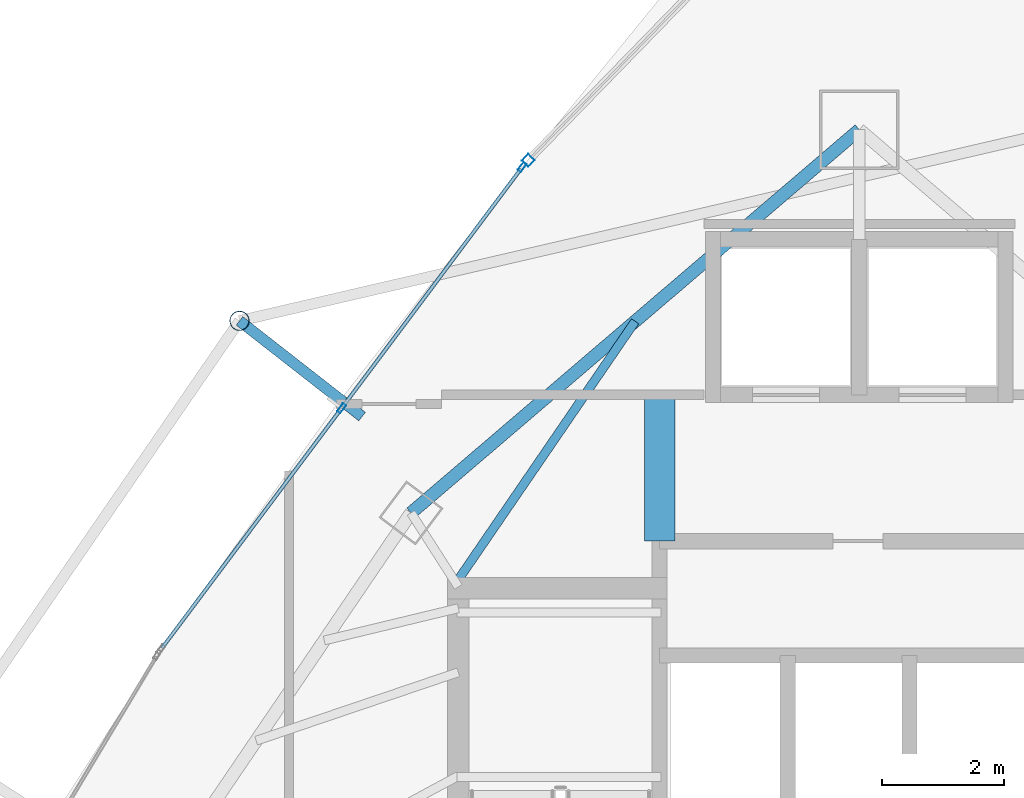
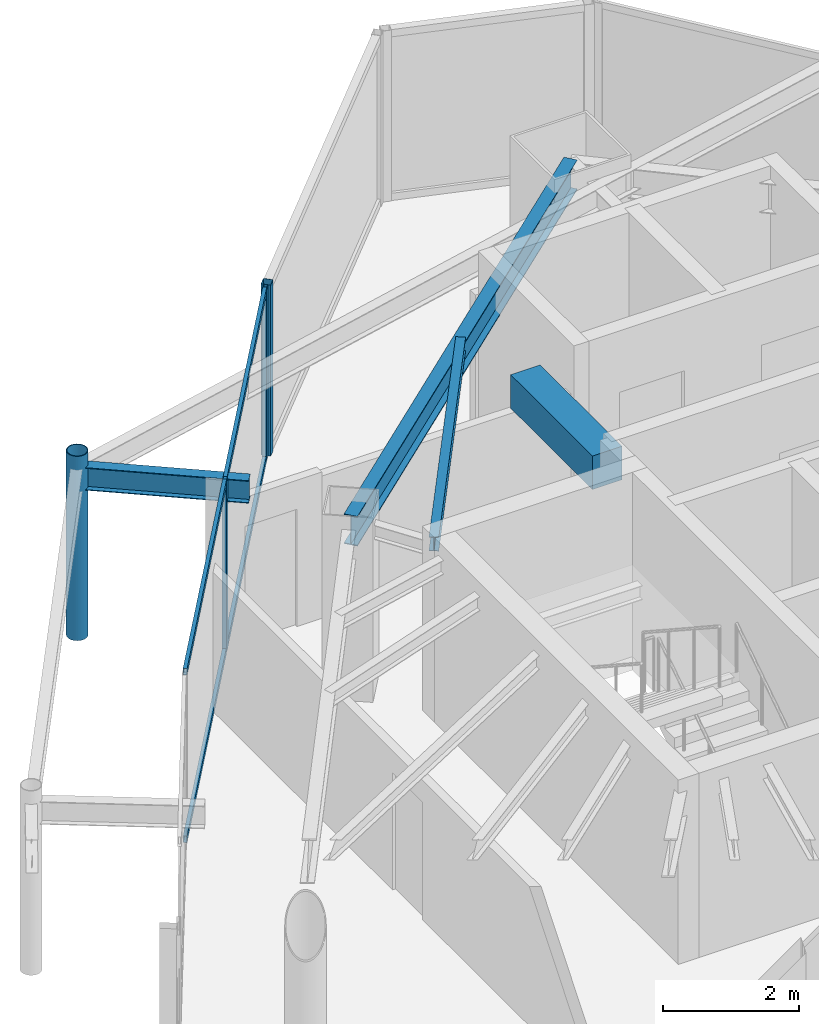
# One storey, part 21 of 30: 8 members, 4 beams, 2 elements without a shape of their own.
"""IFC4 building model written with IfcOpenShell, lengths in metres."""

from ifc_helpers import new_model, si_unit, direction, frame, origin, origin_2d, place, context, subcontext, project, spatial, rectangle, hollow_rectangle, hollow_circle, i_section, extrude, material, layer, layer_set, material_profile, profile_set, type_object, element, aggregate, save


model = new_model("IFC4")

# Units and contexts
model_context = context("Model", 3, precision=1e-05, world=origin(), true_north=direction((0.0, 1.0)))
body_context = subcontext(model_context, "Body", "Model", "MODEL_VIEW")
ifc_project = project(units=[si_unit("LENGTHUNIT", "METRE"), si_unit("AREAUNIT", "SQUARE_METRE"), si_unit("VOLUMEUNIT", "CUBIC_METRE"), si_unit("PLANEANGLEUNIT", "RADIAN"), si_unit("MASSUNIT", "GRAM", prefix="KILO")], contexts=[model_context])

# Site, building, storey
site_placement = place(None, origin())
site = spatial("IfcSite", under=ifc_project, at=site_placement, CompositionType="ELEMENT")
building_placement = place(site_placement, origin())
building = spatial("IfcBuilding", under=site, at=building_placement, Name="Orvanel Arch Residences", CompositionType="ELEMENT")
storey_placement = place(building_placement, frame((0.0, 0.0, 226.10009765625)))
storey = spatial("IfcBuildingStorey", under=building, at=storey_placement, Name="L64", CompositionType="ELEMENT", Elevation=226.10009765625)

# Beams
ifc_material_1 = material(Name="Structural steel AS/NZS 3679.1 Grade 300 (300 MPa)", Category="steel")
ifc_material_profile_1 = material_profile(ifc_material_1, i_section(OverallWidth=0.14599609375, OverallDepth=0.251953125, WebThickness=0.006103515625, FlangeThickness=0.008544921875, at=origin_2d()), Name="250UB31.4")
ifc_profile_set_1 = profile_set([ifc_material_profile_1], Name="Structural steel AS/NZS 3679.1 Grade 300 (300 MPa)")
beam_type_1 = type_object("IfcBeamType", Name="BJ-250UB", PredefinedType="JOIST", material=ifc_profile_set_1)
beam_1_placement = place(storey_placement, frame((26.425048828125, 34.02001953125, 2.933837890625), z_axis=(0.564868085352, 0.825181220188, 0.0), x_axis=(-0.825181220188, 0.564868085352, 0.0)))
element("IfcBeam", 1, at=beam_1_placement, inside=storey, type_object=beam_type_1, Name="L64 NNW2 Wing Floor Joist", PredefinedType="JOIST", context=body_context, shape_type="SweptSolid", body=[
    extrude(i_section(OverallWidth=0.14599609375, OverallDepth=0.251953125, WebThickness=0.006103515625, FlangeThickness=0.008544921875, at=origin_2d()), origin(), (0.0, 0.0, 1.0), 5.132080078125),
])
ifc_material_2 = material(Name="Concrete S65 (65 MPa)", Category="concrete")
ifc_material_profile_2 = material_profile(ifc_material_2, rectangle(XDim=0.5, YDim=0.60009765625, at=origin_2d()), Name="RC500x600")
ifc_profile_set_2 = profile_set([ifc_material_profile_2], Name="Concrete S65 (65 MPa)")
beam_type_2 = type_object("IfcBeamType", Name="CB-500x600", PredefinedType="LINTEL", material=ifc_profile_set_2)
beam_2_placement = place(storey_placement, frame((29.72509765625, 34.64990234375, 2.760009765625), z_axis=(0.0, 1.0, 0.0), x_axis=(-1.0, 0.0, 0.0)))
element("IfcBeam", 2, at=beam_2_placement, inside=storey, type_object=beam_type_2, Name="L64 West Core Lobby Coupling Lintel Beam", PredefinedType="LINTEL", context=body_context, shape_type="SweptSolid", body=[
    extrude(rectangle(XDim=0.5, YDim=0.60009765625, at=origin_2d()), origin(), (0.0, 0.0, 1.0), 2.400146484375),
])

# Curtain wall, member
ifc_material_3 = material(Name="Bronze-anodised aluminium AA6063-T6", Category="aluminium")
ifc_layer_1 = layer(ifc_material_3, 0.18994140625)
ifc_layer_set_1 = layer_set([ifc_layer_1], Name="Bronze-anodised aluminium AA6063-T6")
curtain_wall_type_1 = type_object("IfcCurtainWallType", Name="CW5-CRN-SYS", PredefinedType="NOTDEFINED", material=ifc_layer_set_1)
curtain_wall_1_placement = place(storey_placement, origin())
curtain_wall_1 = element("IfcCurtainWall", 3, at=curtain_wall_1_placement, inside=storey, type_object=curtain_wall_type_1, Name="L64 CW5-CRN-SYS Unitised Curtain Wall", PredefinedType="NOTDEFINED")
ifc_material_profile_3 = material_profile(ifc_material_3, hollow_rectangle(XDim=0.14990234375, YDim=0.14990234375, WallThickness=0.0048828125, at=origin_2d()), Name="ALU150x150x5")
ifc_profile_set_3 = profile_set([ifc_material_profile_3], Name="Bronze-anodised aluminium AA6063-T6")
member_type_1 = type_object("IfcMemberType", Name="MUL-150x150", PredefinedType="MULLION", material=ifc_profile_set_3)
member_1_placement = place(storey_placement, frame((27.5693359375, 40.893798828125, 0.0), z_axis=(0.0, 0.0, 1.0), x_axis=(0.716477049978, -0.697610662802, 0.0)))
member_1 = element("IfcMember", 4, at=member_1_placement, type_object=member_type_1, Name="CW-S5 mullion 2", PredefinedType="MULLION", context=body_context, shape_type="SweptSolid", body=[
    extrude(hollow_rectangle(XDim=0.14990234375, YDim=0.14990234375, WallThickness=0.0048828125, at=origin_2d()), origin(), (0.0, 0.0, 1.0), 3.059814453125),
])
aggregate(curtain_wall_1, [member_1])

# Curtain wall, members
ifc_layer_2 = layer(ifc_material_3, 0.175048828125)
ifc_layer_set_2 = layer_set([ifc_layer_2], Name="Bronze-anodised aluminium AA6063-T6")
curtain_wall_type_2 = type_object("IfcCurtainWallType", Name="CW4-HI-SYS", PredefinedType="NOTDEFINED", material=ifc_layer_set_2)
curtain_wall_2_placement = place(storey_placement, origin())
curtain_wall_2 = element("IfcCurtainWall", 5, at=curtain_wall_2_placement, inside=storey, type_object=curtain_wall_type_2, Name="L64 CW4-HI-SYS Unitised Curtain Wall", PredefinedType="NOTDEFINED")
ifc_material_profile_4 = material_profile(ifc_material_3, hollow_rectangle(XDim=0.06494140625, YDim=0.159912109375, WallThickness=0.00390625, at=origin_2d()), Name="ALU160x65x4")
ifc_profile_set_4 = profile_set([ifc_material_profile_4], Name="Bronze-anodised aluminium AA6063-T6")
member_type_2 = type_object("IfcMemberType", Name="MUL-160x65", PredefinedType="MULLION", material=ifc_profile_set_4)
member_2_placement = place(storey_placement, frame((27.471435546875, 40.783935546875, 0.0), z_axis=(0.0, 0.0, 1.0), x_axis=(0.800385756327, -0.599485313473, 0.0)))
member_2 = element("IfcMember", 6, at=member_2_placement, type_object=member_type_2, Name="CW-S4 mullion 1", PredefinedType="MULLION", context=body_context, shape_type="SweptSolid", body=[
    extrude(hollow_rectangle(XDim=0.06494140625, YDim=0.159912109375, WallThickness=0.00390625, at=origin_2d()), origin(), (0.0, 0.0, 1.0), 3.059814453125),
])
member_3_placement = place(storey_placement, frame((24.508544921875, 36.827880859375, 0.0), z_axis=(0.0, 0.0, 1.0), x_axis=(0.800385756327, -0.599485313473, 0.0)))
member_3 = element("IfcMember", 7, at=member_3_placement, type_object=member_type_2, Name="CW-S4 mullion 2", PredefinedType="MULLION", context=body_context, shape_type="SweptSolid", body=[
    extrude(hollow_rectangle(XDim=0.06494140625, YDim=0.159912109375, WallThickness=0.00390625, at=origin_2d()), origin(), (0.0, 0.0, 1.0), 3.059814453125),
])

# Beams
ifc_material_profile_5 = material_profile(ifc_material_1, i_section(OverallWidth=0.177978515625, OverallDepth=0.406005859375, WebThickness=0.0078125, FlangeThickness=0.0126953125, at=origin_2d()), Name="410UB59.7")
ifc_profile_set_5 = profile_set([ifc_material_profile_5], Name="Structural steel AS/NZS 3679.1 Grade 300 (300 MPa)")
beam_type_3 = type_object("IfcBeamType", Name="OB-410UB-EXT", PredefinedType="SPANDREL", material=ifc_profile_set_5)
beam_3_placement = place(storey_placement, frame((24.845947265625, 36.693115234375, 2.85693359375), z_axis=(-0.788118698034, 0.615523287788, 0.0), x_axis=(-0.615523287788, -0.788118698034, 0.0)))
element("IfcBeam", 8, at=beam_3_placement, inside=storey, type_object=beam_type_3, Name="L64 Outer Frame Radial Tie Beam 01", PredefinedType="SPANDREL", context=body_context, shape_type="SweptSolid", body=[
    extrude(i_section(OverallWidth=0.177978515625, OverallDepth=0.406005859375, WebThickness=0.0078125, FlangeThickness=0.0126953125, at=origin_2d()), origin(), (0.0, 0.0, 1.0), 2.55029296875),
])
ifc_material_profile_6 = material_profile(ifc_material_1, i_section(OverallWidth=0.208984375, OverallDepth=0.532958984375, WebThickness=0.01025390625, FlangeThickness=0.015625, at=origin_2d()), Name="530UB92.4")
ifc_profile_set_6 = profile_set([ifc_material_profile_6], Name="Structural steel AS/NZS 3679.1 Grade 300 (300 MPa)")
beam_type_4 = type_object("IfcBeamType", Name="SP-530UB", PredefinedType="SPANDREL", material=ifc_profile_set_6)
beam_4_placement = place(storey_placement, frame((33.0, 41.39794921875, 2.79296875), z_axis=(-0.760116518398, -0.649786794617, 0.0), x_axis=(0.649786794617, -0.760116518398, 0.0)))
element("IfcBeam", 9, at=beam_4_placement, inside=storey, type_object=beam_type_4, Name="L64 Perimeter Spandrel Beam 10", PredefinedType="SPANDREL", context=body_context, shape_type="SweptSolid", body=[
    extrude(i_section(OverallWidth=0.208984375, OverallDepth=0.532958984375, WebThickness=0.01025390625, FlangeThickness=0.015625, at=origin_2d()), origin(), (0.0, 0.0, 1.0), 9.67236328125),
])

# Member
ifc_material_4 = material(Name="Structural steel AS/NZS 1163 C350L0 (Grade 350)", Category="steel")
ifc_material_profile_7 = material_profile(ifc_material_4, hollow_circle(Radius=0.162109375, WallThickness=0.0126953125, at=origin_2d()), Name="CHS324x12.7")
ifc_profile_set_7 = profile_set([ifc_material_profile_7], Name="Structural steel AS/NZS 1163 C350L0 (Grade 350)")
member_type_3 = type_object("IfcMemberType", Name="ST-324CHS-EXT", PredefinedType="STRUT", material=ifc_profile_set_7)
member_4_placement = place(storey_placement, frame((22.8359375, 38.262939453125, 0.0), z_axis=(0.0, 0.0, 1.0), x_axis=(1.0, 0.0, 0.0)))
element("IfcMember", 10, at=member_4_placement, inside=storey, type_object=member_type_3, Name="L64 Outer Perimeter Frame Post 01", PredefinedType="STRUT", context=body_context, shape_type="SweptSolid", body=[
    extrude(hollow_circle(Radius=0.162109375, WallThickness=0.0126953125, at=origin_2d()), origin(), (0.0, 0.0, 1.0), 3.2998046875),
])

ifc_material_profile_8 = material_profile(ifc_material_3, hollow_rectangle(XDim=0.06005859375, YDim=0.1201171875, WallThickness=0.00341796875, at=origin_2d()), Name="ALU120x60x3.5")
ifc_profile_set_8 = profile_set([ifc_material_profile_8], Name="Bronze-anodised aluminium AA6063-T6")
member_type_4 = type_object("IfcMemberType", Name="TRN-120x60", PredefinedType="USERDEFINED", material=ifc_profile_set_8)
member_5_placement = place(storey_placement, frame((27.4521484375, 40.758056640625, 0.02978515625), z_axis=(-0.59947932652, -0.800390240492, 0.0), x_axis=(0.800390240492, -0.59947932652, 0.0)))
member_5 = element("IfcMember", 11, at=member_5_placement, type_object=member_type_4, Name="CW-S4 transom 1.1", ObjectType="TRANSOM", PredefinedType="USERDEFINED", context=body_context, shape_type="SweptSolid", body=[
    extrude(hollow_rectangle(XDim=0.06005859375, YDim=0.1201171875, WallThickness=0.00341796875, at=origin_2d()), origin(), (0.0, 0.0, 1.0), 4.877685546875),
])

member_6_placement = place(storey_placement, frame((27.4521484375, 40.758056640625, 3.02978515625), z_axis=(-0.59947932652, -0.800390240492, 0.0), x_axis=(0.800390240492, -0.59947932652, 0.0)))
member_6 = element("IfcMember", 12, at=member_6_placement, type_object=member_type_4, Name="CW-S4 transom 1.2", ObjectType="TRANSOM", PredefinedType="USERDEFINED", context=body_context, shape_type="SweptSolid", body=[
    extrude(hollow_rectangle(XDim=0.06005859375, YDim=0.1201171875, WallThickness=0.00341796875, at=origin_2d()), origin(), (0.0, 0.0, 1.0), 4.877685546875),
])

member_7_placement = place(storey_placement, frame((24.489013671875, 36.802001953125, 0.02978515625), z_axis=(-0.59947932652, -0.800390240492, 0.0), x_axis=(0.800390240492, -0.59947932652, 0.0)))
member_7 = element("IfcMember", 13, at=member_7_placement, type_object=member_type_4, Name="CW-S4 transom 2.1", ObjectType="TRANSOM", PredefinedType="USERDEFINED", context=body_context, shape_type="SweptSolid", body=[
    extrude(hollow_rectangle(XDim=0.06005859375, YDim=0.1201171875, WallThickness=0.00341796875, at=origin_2d()), origin(), (0.0, 0.0, 1.0), 4.877685546875),
])

member_8_placement = place(storey_placement, frame((24.489013671875, 36.802001953125, 3.02978515625), z_axis=(-0.59947932652, -0.800390240492, 0.0), x_axis=(0.800390240492, -0.59947932652, 0.0)))
member_8 = element("IfcMember", 14, at=member_8_placement, type_object=member_type_4, Name="CW-S4 transom 2.2", ObjectType="TRANSOM", PredefinedType="USERDEFINED", context=body_context, shape_type="SweptSolid", body=[
    extrude(hollow_rectangle(XDim=0.06005859375, YDim=0.1201171875, WallThickness=0.00341796875, at=origin_2d()), origin(), (0.0, 0.0, 1.0), 4.877685546875),
])

aggregate(curtain_wall_2, [member_2, member_3, member_5, member_6, member_7, member_8])

save(model, "model.ifc")
